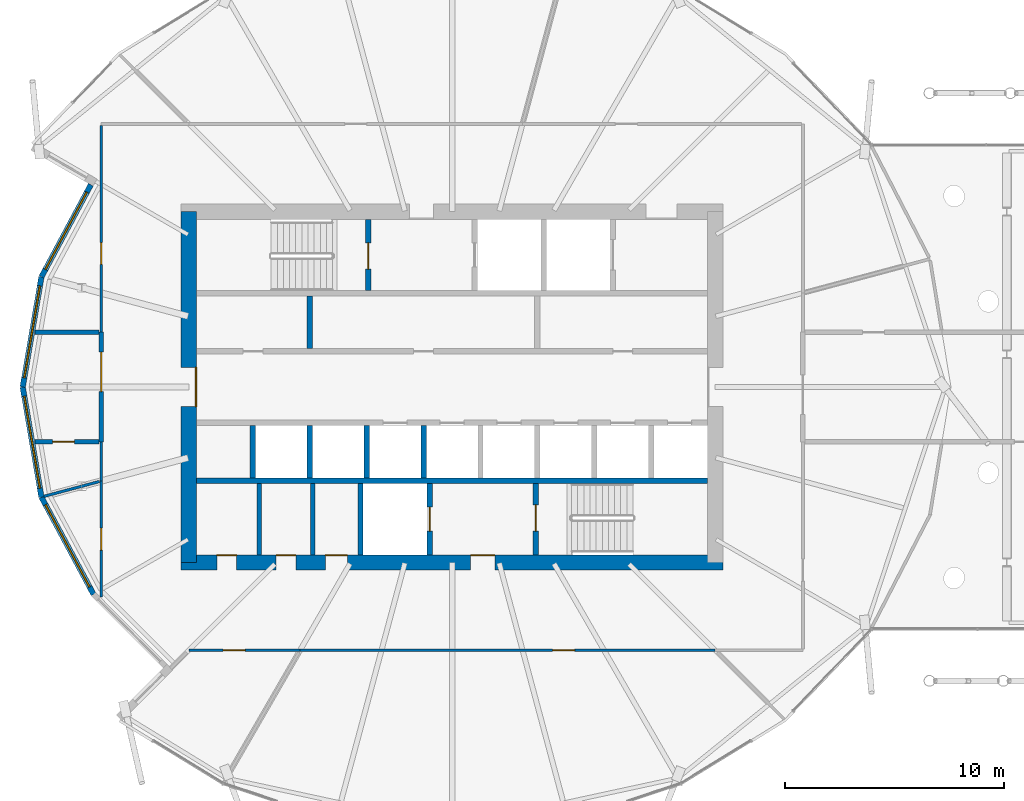
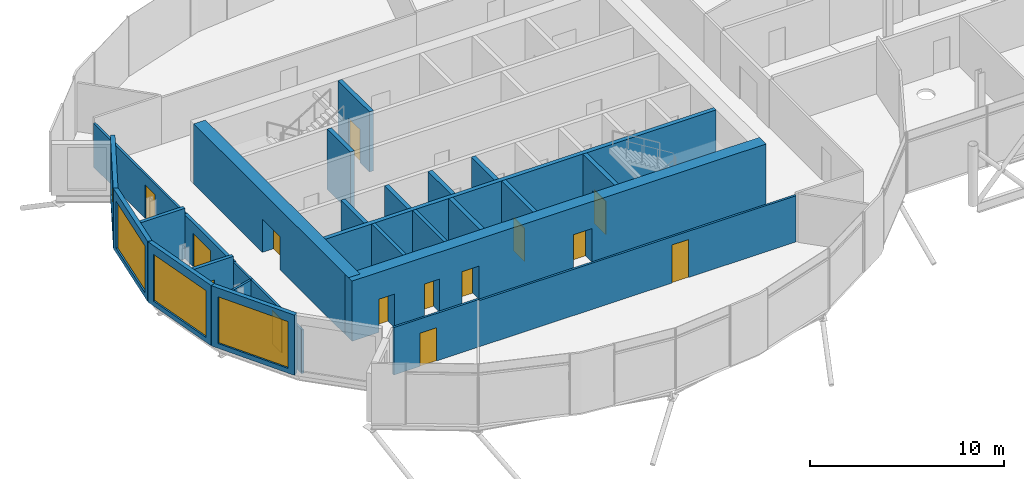
# One storey, part 23 of 39: 27 walls, 14 doors, 4 windows, 18 openings.
"""IFC4 building model written with IfcOpenShell, lengths in metres."""

import ifcopenshell
import ifcopenshell.guid

model = None  # the IFC model being written
_history = None  # IfcOwnerHistory: only IFC2X3 demands one
_inside = {}  # id of a spatial element -> (the spatial element, [elements in it])
_under = {}  # id of a project, library or spatial element -> (it, [spatial elements below it])
_declared = {}  # id of a project -> (the project, [libraries it declares])
_typed = {}  # id of a type object -> (the type object, [elements of that type])
_made_of = {}  # id of a material, layer set ... -> (it, [elements and type objects made of it])


def new_model(schema):
    """Start an empty IFC model of exactly this schema.

    Asked for "IFC4X3", IfcOpenShell would pick the latest addendum, in which some entities
    have other attributes; the version numbers below select the first issue.
    IFC2X3 requires an IfcOwnerHistory on every rooted entity: one is made here for all.
    """
    global model, _history
    if schema == "IFC4X3":
        model = ifcopenshell.file(schema_version=(4, 3, 0, 0))
    else:
        model = ifcopenshell.file(schema=schema)
    _inside.clear()
    _under.clear()
    _declared.clear()
    _typed.clear()
    _made_of.clear()
    _history = None
    if model.schema == "IFC2X3":
        org = make("IfcOrganization", Name="unknown")
        user = make(
            "IfcPersonAndOrganization",
            ThePerson=make("IfcPerson", FamilyName="unknown"),
            TheOrganization=org,
        )
        app = make(
            "IfcApplication",
            ApplicationDeveloper=org,
            Version="unknown",
            ApplicationFullName="unknown",
            ApplicationIdentifier="unknown",
        )
        _history = make(
            "IfcOwnerHistory",
            OwningUser=user,
            OwningApplication=app,
            ChangeAction="ADDED",
            CreationDate=0,
        )
    return model


def make(cls, **values):
    """One entity of the class cls with the attributes given. An attribute that is None is left unset."""
    return model.create_entity(
        cls, **{name: value for name, value in values.items() if value is not None}
    )


def rooted(cls, **values):
    """An entity with a GlobalId (a new one), such as an element, a storey or a relation."""
    return make(cls, GlobalId=ifcopenshell.guid.new(), OwnerHistory=_history, **values)


def si_unit(unit_type, name, prefix=None):
    """IfcSIUnit, for example si_unit("LENGTHUNIT", "METRE", prefix="MILLI")."""
    return make("IfcSIUnit", UnitType=unit_type, Prefix=prefix, Name=name)


def assignment(units):
    """IfcUnitAssignment: the units of a project."""
    return None if units is None else make("IfcUnitAssignment", Units=units)


def point(xyz):
    """IfcCartesianPoint."""
    return None if xyz is None else make("IfcCartesianPoint", Coordinates=xyz)


def direction(xyz):
    """IfcDirection."""
    return None if xyz is None else make("IfcDirection", DirectionRatios=xyz)


def frame(location, z_axis=None, x_axis=None):
    """IfcAxis2Placement3D, a coordinate frame: its origin and axes. An axis left out is left unset."""
    return make(
        "IfcAxis2Placement3D",
        Location=point(location),
        Axis=direction(z_axis),
        RefDirection=direction(x_axis),
    )


def frame_2d(location, x_axis=None):
    """IfcAxis2Placement2D, a coordinate frame in the plane: its origin and x axis."""
    return make(
        "IfcAxis2Placement2D", Location=point(location), RefDirection=direction(x_axis)
    )


def origin():
    """The frame at (0, 0, 0) with its axes left unset."""
    return frame((0.0, 0.0, 0.0))


def place(relative_to, where):
    """IfcLocalPlacement: puts the frame where relative to a parent placement (None: the world)."""
    return make(
        "IfcLocalPlacement", PlacementRelTo=relative_to, RelativePlacement=where
    )


def context(
    kind, dimensions, precision=None, world=None, true_north=None, identifier=None
):
    """IfcGeometricRepresentationContext, for example the 3D "Model" context."""
    return make(
        "IfcGeometricRepresentationContext",
        ContextIdentifier=identifier,
        ContextType=kind,
        CoordinateSpaceDimension=dimensions,
        Precision=precision,
        WorldCoordinateSystem=world,
        TrueNorth=true_north,
    )


def subcontext(parent, identifier, kind, view, scale=None):
    """IfcGeometricRepresentationSubContext, for example "Body" below "Model"."""
    return make(
        "IfcGeometricRepresentationSubContext",
        ContextIdentifier=identifier,
        ContextType=kind,
        ParentContext=parent,
        TargetScale=scale,
        TargetView=view,
    )


def project(units=None, contexts=None):
    """IfcProject with its units and contexts."""
    return rooted(
        "IfcProject",
        Name="project",
        RepresentationContexts=contexts,
        UnitsInContext=assignment(units),
    )


def spatial(cls, under=None, at=None, **own):
    """A site, building, storey or space (cls), placed at a placement, below another one or the project."""
    s = rooted(cls, ObjectPlacement=at, **own)
    if under is not None:
        _under.setdefault(under.id(), (under, []))[1].append(s)
    return s


def profile(cls, at=None, kind="AREA", **sizes):
    """A parametric profile (cls). Its sizes go by their IFC names, for example OverallWidth=200.0."""
    return make(cls, ProfileType=kind, Position=at, **sizes)


def rectangle(**sizes):
    """IfcRectangleProfileDef."""
    return profile("IfcRectangleProfileDef", **sizes)


def extrude(swept, where, along, depth):
    """IfcExtrudedAreaSolid: the profile swept, set in the frame where, extruded along a direction by depth."""
    return make(
        "IfcExtrudedAreaSolid",
        SweptArea=swept,
        Position=where,
        ExtrudedDirection=direction(along),
        Depth=depth,
    )


def shape(context_of_items, identifier, shape_type, items):
    """IfcShapeRepresentation: the items that make up one representation, for example the "Body"."""
    return make(
        "IfcShapeRepresentation",
        ContextOfItems=context_of_items,
        RepresentationIdentifier=identifier,
        RepresentationType=shape_type,
        Items=items,
    )


def material(Name=None, Category=None):
    """IfcMaterial."""
    return make("IfcMaterial", Name=Name, Category=Category)


def layer(
    of_material, thickness, ventilated=None, Name=None, Category=None, Priority=None
):
    """IfcMaterialLayer: one layer of a wall or slab, of a material (None: an air gap)."""
    return make(
        "IfcMaterialLayer",
        Material=of_material,
        LayerThickness=thickness,
        IsVentilated=ventilated,
        Name=Name,
        Category=Category,
        Priority=Priority,
    )


def layer_set(layers, Name=None):
    """IfcMaterialLayerSet."""
    return make("IfcMaterialLayerSet", MaterialLayers=layers, LayerSetName=Name)


def made_of(thing, what):
    """Note that an element or type object is made of a material, layer set ...; save() writes the relation."""
    if what is not None:
        _made_of.setdefault(what.id(), (what, []))[1].append(thing)
    return thing


def type_object(cls, material=None, **own):
    """A type object (cls), such as IfcWallType, which elements share."""
    return made_of(rooted(cls, **own), material)


def element(
    cls,
    number,
    at=None,
    inside=None,
    cuts=None,
    type_object=None,
    material=None,
    context=None,
    identifier="Body",
    shape_type=None,
    held_by="IfcProductDefinitionShape",
    body=None,
    shapes=None,
    **own,
):
    """One element of the class cls, such as IfcWall. Its Tag is "e" and its number.

    at: its placement. inside: the storey or other place that contains it. cuts: it is an
    opening in that element (IfcRelVoidsElement). A single representation is given by context,
    identifier, shape_type and body (its items); several are given by shapes. held_by: the class
    of the entity that holds the representations. save() writes the other relations.
    """
    e = rooted(cls, Tag="e%d" % number, ObjectPlacement=at, **own)
    if body is not None:
        shapes = [shape(context, identifier, shape_type, body)]
    if shapes is not None:
        e.Representation = make(held_by, Representations=shapes)
    if inside is not None:
        _inside.setdefault(inside.id(), (inside, []))[1].append(e)
    if cuts is not None:
        rooted(
            "IfcRelVoidsElement", RelatingBuildingElement=cuts, RelatedOpeningElement=e
        )
    if type_object is not None:
        _typed.setdefault(type_object.id(), (type_object, []))[1].append(e)
    return made_of(e, material)


def fill(opening, filler):
    """IfcRelFillsElement: the door or window that sits in an opening."""
    return rooted(
        "IfcRelFillsElement",
        RelatingOpeningElement=opening,
        RelatedBuildingElement=filler,
    )


def aggregate(whole, parts):
    """IfcRelAggregates: a whole, such as a stair, and the parts it consists of."""
    return rooted("IfcRelAggregates", RelatingObject=whole, RelatedObjects=parts)


def save(model, path):
    """Write the relations noted so far, then the file.

    IfcRelAggregates (storeys below a building ...), IfcRelContainedInSpatialStructure (elements
    in a storey), IfcRelDefinesByType, IfcRelAssociatesMaterial and IfcRelDeclares: one each for
    every whole, place, type object, material and project.
    """
    for whole, parts in _under.values():
        aggregate(whole, parts)
    for where, things in _inside.values():
        rooted(
            "IfcRelContainedInSpatialStructure",
            RelatedElements=things,
            RelatingStructure=where,
        )
    for kind, things in _typed.values():
        rooted("IfcRelDefinesByType", RelatedObjects=things, RelatingType=kind)
    for what, things in _made_of.values():
        rooted("IfcRelAssociatesMaterial", RelatedObjects=things, RelatingMaterial=what)
    for by, libraries in _declared.values():
        rooted("IfcRelDeclares", RelatingContext=by, RelatedDefinitions=libraries)
    model.write(path)


model = new_model("IFC4")

# Units and contexts
model_context = context("Model", 3, precision=1e-05, world=origin(), true_north=direction((0.0, 1.0)))
body_context = subcontext(model_context, "Body", "Model", "MODEL_VIEW")
ifc_project = project(units=[si_unit("LENGTHUNIT", "METRE"), si_unit("AREAUNIT", "SQUARE_METRE"), si_unit("VOLUMEUNIT", "CUBIC_METRE"), si_unit("PLANEANGLEUNIT", "RADIAN"), si_unit("MASSUNIT", "GRAM", prefix="KILO")], contexts=[model_context])

# Site, building, storey
site_placement = place(None, origin())
site = spatial("IfcSite", under=ifc_project, at=site_placement, CompositionType="ELEMENT")
building_placement = place(site_placement, origin())
building = spatial("IfcBuilding", under=site, at=building_placement, Name="Rimbun Link Towers", CompositionType="ELEMENT")
storey_placement = place(building_placement, frame((0.0, 0.0, 139.199951171875)))
storey = spatial("IfcBuildingStorey", under=building, at=storey_placement, Name="L33", CompositionType="ELEMENT", Elevation=139.199951171875)

# Wall, opening, window
ifc_material_1 = material(Name="Dark enamelled glass spandrel on insulated aluminium backpan", Category="aluminium")
ifc_layer_1 = layer(ifc_material_1, 0.25)
ifc_layer_set_1 = layer_set([ifc_layer_1], Name="CS dark enamelled spandrel wall 250")
wall_type_1 = type_object("IfcWallType", Name="CS dark enamelled spandrel wall 250", PredefinedType="STANDARD", material=ifc_layer_set_1)
wall_1_placement = place(storey_placement, frame((-50.4755859375, 5.0263671875, 0.0), z_axis=(0.0, 0.0, 1.0), x_axis=(0.47248174368, 0.881340457422, 0.0)))
wall_1 = element("IfcWall", 1, at=wall_1_placement, inside=storey, type_object=wall_type_1, Name="Crease spandrel wall", PredefinedType="STANDARD", context=body_context, shape_type="SweptSolid", body=[
    extrude(rectangle(XDim=4.76220703125, YDim=0.25, at=frame_2d((2.381103515625, 0.0))), origin(), (0.0, 0.0, 1.0), 3.800048828125),
])
opening_1_placement = place(wall_1_placement, frame((0.381103515625, 0.0, 0.300048828125)))
opening_1 = element("IfcOpeningElement", 2, at=opening_1_placement, cuts=wall_1, Name="Opening WR40H295", PredefinedType="OPENING", context=body_context, shape_type="SweptSolid", body=[
    extrude(rectangle(XDim=4.0, YDim=2.949951171875, at=frame_2d((2.0, 1.47509765625))), frame((0.0, 0.135009765625, 0.0), z_axis=(0.0, -1.0, 0.0), x_axis=(1.0, 0.0, 0.0)), (0.0, 0.0, 1.0), 0.27001953125),
])
ifc_material_2 = material(Name="Aluminium framed fixed window, dark tinted low-e glass", Category="aluminium")
window_type_1 = type_object("IfcWindowType", Name="WR ribbon window 4000X2950", PartitioningType="SINGLE_PANEL", PredefinedType="WINDOW", material=ifc_material_2)
window_1_placement = place(opening_1_placement, origin())
window_1 = element("IfcWindow", 3, at=window_1_placement, inside=storey, type_object=window_type_1, Name="Crease ribbon window", OverallHeight=2.949951171875, OverallWidth=4.0, PartitioningType="SINGLE_PANEL", PredefinedType="WINDOW", context=body_context, shape_type="SweptSolid", body=[
    extrude(rectangle(XDim=4.0, YDim=2.949951171875, at=frame_2d((2.0, 1.47509765625))), frame((0.0, 0.030029296875, 0.0), z_axis=(0.0, -1.0, 0.0), x_axis=(1.0, 0.0, 0.0)), (0.0, 0.0, 1.0), 0.06005859375),
])
fill(opening_1, window_1)

wall_2_placement = place(storey_placement, frame((-51.330322265625, 0.0, 0.0), z_axis=(0.0, 0.0, 1.0), x_axis=(0.167643894896, 0.985847617284, 0.0)))
wall_2 = element("IfcWall", 4, at=wall_2_placement, inside=storey, type_object=wall_type_1, Name="Crease spandrel wall", PredefinedType="STANDARD", context=body_context, shape_type="SweptSolid", body=[
    extrude(rectangle(XDim=5.0986328125, YDim=0.25, at=frame_2d((2.54931640625, 0.0))), origin(), (0.0, 0.0, 1.0), 3.800048828125),
])
opening_2_placement = place(wall_2_placement, frame((0.42431640625, 0.0, 0.300048828125)))
opening_2 = element("IfcOpeningElement", 5, at=opening_2_placement, cuts=wall_2, Name="Opening WR42H295", PredefinedType="OPENING", context=body_context, shape_type="SweptSolid", body=[
    extrude(rectangle(XDim=4.25, YDim=2.949951171875, at=frame_2d((2.125, 1.47509765625))), frame((0.0, 0.135009765625, 0.0), z_axis=(0.0, -1.0, 0.0), x_axis=(1.0, 0.0, 0.0)), (0.0, 0.0, 1.0), 0.27001953125),
])
ifc_material_3 = material(Name="Aluminium framed fixed window, dark tinted low-e glass", Category="aluminium")
window_type_2 = type_object("IfcWindowType", Name="WR ribbon window 4250X2950", PartitioningType="SINGLE_PANEL", PredefinedType="WINDOW", material=ifc_material_3)
window_2_placement = place(opening_2_placement, origin())
window_2 = element("IfcWindow", 6, at=window_2_placement, inside=storey, type_object=window_type_2, Name="Crease ribbon window", OverallHeight=2.949951171875, OverallWidth=4.25, PartitioningType="SINGLE_PANEL", PredefinedType="WINDOW", context=body_context, shape_type="SweptSolid", body=[
    extrude(rectangle(XDim=4.25, YDim=2.949951171875, at=frame_2d((2.125, 1.47509765625))), frame((0.0, 0.030029296875, 0.0), z_axis=(0.0, -1.0, 0.0), x_axis=(1.0, 0.0, 0.0)), (0.0, 0.0, 1.0), 0.06005859375),
])
fill(opening_2, window_2)

wall_3_placement = place(storey_placement, frame((-50.4755859375, -5.0263671875, 0.0), z_axis=(0.0, 0.0, 1.0), x_axis=(-0.167643894896, 0.985847617284, 0.0)))
wall_3 = element("IfcWall", 7, at=wall_3_placement, inside=storey, type_object=wall_type_1, Name="Crease spandrel wall", PredefinedType="STANDARD", context=body_context, shape_type="SweptSolid", body=[
    extrude(rectangle(XDim=5.0986328125, YDim=0.25, at=frame_2d((2.54931640625, 0.0))), origin(), (0.0, 0.0, 1.0), 3.800048828125),
])
opening_3_placement = place(wall_3_placement, frame((0.42431640625, 0.0, 0.300048828125)))
opening_3 = element("IfcOpeningElement", 8, at=opening_3_placement, cuts=wall_3, Name="Opening WR42H295", PredefinedType="OPENING", context=body_context, shape_type="SweptSolid", body=[
    extrude(rectangle(XDim=4.25, YDim=2.949951171875, at=frame_2d((2.125, 1.47509765625))), frame((0.0, 0.135009765625, 0.0), z_axis=(0.0, -1.0, 0.0), x_axis=(1.0, 0.0, 0.0)), (0.0, 0.0, 1.0), 0.27001953125),
])
window_3_placement = place(opening_3_placement, origin())
window_3 = element("IfcWindow", 9, at=window_3_placement, inside=storey, type_object=window_type_2, Name="Crease ribbon window", OverallHeight=2.949951171875, OverallWidth=4.25, PartitioningType="SINGLE_PANEL", PredefinedType="WINDOW", context=body_context, shape_type="SweptSolid", body=[
    extrude(rectangle(XDim=4.25, YDim=2.949951171875, at=frame_2d((2.125, 1.47509765625))), frame((0.0, 0.030029296875, 0.0), z_axis=(0.0, -1.0, 0.0), x_axis=(1.0, 0.0, 0.0)), (0.0, 0.0, 1.0), 0.06005859375),
])
fill(opening_3, window_3)

wall_4_placement = place(storey_placement, frame((-48.1005859375, -9.45654296875, 0.0), z_axis=(0.0, 0.0, 1.0), x_axis=(-0.472482867298, 0.881339855056, 0.0)))
wall_4 = element("IfcWall", 10, at=wall_4_placement, inside=storey, type_object=wall_type_1, Name="Crease spandrel wall", PredefinedType="STANDARD", context=body_context, shape_type="SweptSolid", body=[
    extrude(rectangle(XDim=5.026611328125, YDim=0.25, at=frame_2d((2.51318359375, 0.0))), origin(), (0.0, 0.0, 1.0), 3.800048828125),
])
opening_4_placement = place(wall_4_placement, frame((0.38818359375, 0.0, 0.300048828125)))
opening_4 = element("IfcOpeningElement", 11, at=opening_4_placement, cuts=wall_4, Name="Opening WR42H295", PredefinedType="OPENING", context=body_context, shape_type="SweptSolid", body=[
    extrude(rectangle(XDim=4.25, YDim=2.949951171875, at=frame_2d((2.125, 1.47509765625))), frame((0.0, 0.135009765625, 0.0), z_axis=(0.0, -1.0, 0.0), x_axis=(1.0, 0.0, 0.0)), (0.0, 0.0, 1.0), 0.27001953125),
])
window_4_placement = place(opening_4_placement, origin())
window_4 = element("IfcWindow", 12, at=window_4_placement, inside=storey, type_object=window_type_2, Name="Crease ribbon window", OverallHeight=2.949951171875, OverallWidth=4.25, PartitioningType="SINGLE_PANEL", PredefinedType="WINDOW", context=body_context, shape_type="SweptSolid", body=[
    extrude(rectangle(XDim=4.25, YDim=2.949951171875, at=frame_2d((2.125, 1.47509765625))), frame((0.0, 0.030029296875, 0.0), z_axis=(0.0, -1.0, 0.0), x_axis=(1.0, 0.0, 0.0)), (0.0, 0.0, 1.0), 0.06005859375),
])
fill(opening_4, window_4)

# Walls
ifc_material_4 = material(Name="Masonry blockwork", Category="masonry")
ifc_layer_2 = layer(ifc_material_4, 0.199951171875)
ifc_layer_set_2 = layer_set([ifc_layer_2], Name="Core partition 200")
wall_type_2 = type_object("IfcWallType", Name="Core partition 200", PredefinedType="PARTITIONING", material=ifc_layer_set_2)
for number, where, z_axis, x_axis, name in (
    (13, (-40.550048828125, -4.39990234375, 0.0), (0.0, 0.0, 1.0), (0.0, -1.0, 0.0), "L33 T1 core wall C1"),
    (14, (-38.10009765625, -4.39990234375, 0.0), (0.0, 0.0, 1.0), (0.0, -1.0, 0.0), "L33 T1 core wall C2"),
):
    element("IfcWall", number, at=place(storey_placement, frame(where, z_axis=z_axis, x_axis=x_axis)), inside=storey, type_object=wall_type_2, Name=name, PredefinedType="PARTITIONING", context=body_context, shape_type="SweptSolid", body=[
        extrude(rectangle(XDim=3.25, YDim=0.199951171875, at=frame_2d((1.625, 0.0))), origin(), (0.0, 0.0, 1.0), 3.800048828125),
    ])

# Wall, openings, doors
ifc_material_5 = material(Name="Concrete C60/75", Category="concrete")
ifc_layer_3 = layer(ifc_material_5, 0.699951171875)
ifc_layer_set_3 = layer_set([ifc_layer_3], Name="Core shear wall 700")
wall_type_3 = type_object("IfcWallType", Name="Core shear wall 700", PredefinedType="SHEAR", material=ifc_layer_set_3)
wall_5_placement = place(storey_placement, frame((-44.10009765625, -8.0, 0.0), z_axis=(0.0, 0.0, 1.0), x_axis=(1.0, 0.0, 0.0)))
wall_5 = element("IfcWall", 15, at=wall_5_placement, inside=storey, type_object=wall_type_3, Name="L33 T1 core wall S", PredefinedType="SHEAR", context=body_context, shape_type="SweptSolid", body=[
    extrude(rectangle(XDim=24.7001953125, YDim=0.699951171875, at=frame_2d((12.35009765625, 0.0))), origin(), (0.0, 0.0, 1.0), 3.800048828125),
])
opening_5_placement = place(wall_5_placement, frame((13.199951171875, 0.0, 0.0)))
opening_5 = element("IfcOpeningElement", 16, at=opening_5_placement, cuts=wall_5, Name="Opening C1DCF01S", PredefinedType="OPENING", context=body_context, shape_type="SweptSolid", body=[
    extrude(rectangle(XDim=1.10009765625, YDim=2.10009765625, at=frame_2d((0.550048828125, 1.050048828125))), frame((0.0, 0.35986328125, 0.0), z_axis=(0.0, -1.0, 0.0), x_axis=(1.0, 0.0, 0.0)), (0.0, 0.0, 1.0), 0.719970703125),
])
opening_6_placement = place(wall_5_placement, frame((1.625, 0.0, 0.0)))
opening_6 = element("IfcOpeningElement", 17, at=opening_6_placement, cuts=wall_5, Name="Opening C1DWC02S", PredefinedType="OPENING", context=body_context, shape_type="SweptSolid", body=[
    extrude(rectangle(XDim=0.89990234375, YDim=2.10009765625, at=frame_2d((0.449951171875, 1.050048828125))), frame((0.0, 0.35986328125, 0.0), z_axis=(0.0, -1.0, 0.0), x_axis=(1.0, 0.0, 0.0)), (0.0, 0.0, 1.0), 0.719970703125),
])
opening_7_placement = place(wall_5_placement, frame((4.324951171875, 0.0, 0.0)))
opening_7 = element("IfcOpeningElement", 18, at=opening_7_placement, cuts=wall_5, Name="Opening C1DWC03S", PredefinedType="OPENING", context=body_context, shape_type="SweptSolid", body=[
    extrude(rectangle(XDim=0.89990234375, YDim=2.10009765625, at=frame_2d((0.449951171875, 1.050048828125))), frame((0.0, 0.35986328125, 0.0), z_axis=(0.0, -1.0, 0.0), x_axis=(1.0, 0.0, 0.0)), (0.0, 0.0, 1.0), 0.719970703125),
])
opening_8_placement = place(wall_5_placement, frame((6.574951171875, 0.0, 0.0)))
opening_8 = element("IfcOpeningElement", 19, at=opening_8_placement, cuts=wall_5, Name="Opening C1DAW04S", PredefinedType="OPENING", context=body_context, shape_type="SweptSolid", body=[
    extrude(rectangle(XDim=1.0, YDim=2.10009765625, at=frame_2d((0.5, 1.050048828125))), frame((0.0, 0.35986328125, 0.0), z_axis=(0.0, -1.0, 0.0), x_axis=(1.0, 0.0, 0.0)), (0.0, 0.0, 1.0), 0.719970703125),
])
ifc_material_6 = material(Name="Timber", Category="wood")
door_type_1 = type_object("IfcDoorType", Name="Accessible WC door", OperationType="SINGLE_SWING_LEFT", PredefinedType="DOOR", material=ifc_material_6)
door_1_placement = place(opening_8_placement, origin())
door_1 = element("IfcDoor", 20, at=door_1_placement, inside=storey, type_object=door_type_1, Name="L33 T1 accessible wc door", OperationType="SINGLE_SWING_LEFT", OverallHeight=2.10009765625, OverallWidth=1.0, PredefinedType="DOOR", context=body_context, shape_type="SweptSolid", body=[
    extrude(rectangle(XDim=1.0, YDim=2.10009765625, at=frame_2d((0.5, 1.050048828125))), frame((0.0, 0.35009765625, 0.0), z_axis=(0.0, -1.0, 0.0), x_axis=(1.0, 0.0, 0.0)), (0.0, 0.0, 1.0), 0.050048828125),
])
fill(opening_8, door_1)
ifc_material_7 = material(Name="Steel fire door set", Category="steel")
door_type_2 = type_object("IfcDoorType", Name="Core fire door single", OperationType="SINGLE_SWING_LEFT", PredefinedType="DOOR", material=ifc_material_7)
door_2_placement = place(opening_5_placement, origin())
door_2 = element("IfcDoor", 21, at=door_2_placement, inside=storey, type_object=door_type_2, Name="L33 T1 firefighting lobby s door", OperationType="SINGLE_SWING_RIGHT", OverallHeight=2.10009765625, OverallWidth=1.10009765625, PredefinedType="DOOR", context=body_context, shape_type="SweptSolid", body=[
    extrude(rectangle(XDim=1.10009765625, YDim=2.10009765625, at=frame_2d((0.550048828125, 1.050048828125))), frame((0.0, 0.35009765625, 0.0), z_axis=(0.0, -1.0, 0.0), x_axis=(1.0, 0.0, 0.0)), (0.0, 0.0, 1.0), 0.050048828125),
])
fill(opening_5, door_2)
ifc_material_8 = material(Name="Timber", Category="wood")
door_type_3 = type_object("IfcDoorType", Name="WC door", OperationType="SINGLE_SWING_LEFT", PredefinedType="DOOR", material=ifc_material_8)
door_3_placement = place(opening_6_placement, origin())
door_3 = element("IfcDoor", 22, at=door_3_placement, inside=storey, type_object=door_type_3, Name="L33 T1 male wc door", OperationType="SINGLE_SWING_RIGHT", OverallHeight=2.10009765625, OverallWidth=0.89990234375, PredefinedType="DOOR", context=body_context, shape_type="SweptSolid", body=[
    extrude(rectangle(XDim=0.89990234375, YDim=2.10009765625, at=frame_2d((0.449951171875, 1.050048828125))), frame((0.0, 0.35009765625, 0.0), z_axis=(0.0, -1.0, 0.0), x_axis=(1.0, 0.0, 0.0)), (0.0, 0.0, 1.0), 0.050048828125),
])
fill(opening_6, door_3)
door_4_placement = place(opening_7_placement, origin())
door_4 = element("IfcDoor", 23, at=door_4_placement, inside=storey, type_object=door_type_3, Name="L33 T1 female wc door", OperationType="SINGLE_SWING_RIGHT", OverallHeight=2.10009765625, OverallWidth=0.89990234375, PredefinedType="DOOR", context=body_context, shape_type="SweptSolid", body=[
    extrude(rectangle(XDim=0.89990234375, YDim=2.10009765625, at=frame_2d((0.449951171875, 1.050048828125))), frame((0.0, 0.35009765625, 0.0), z_axis=(0.0, -1.0, 0.0), x_axis=(1.0, 0.0, 0.0)), (0.0, 0.0, 1.0), 0.050048828125),
])
fill(opening_7, door_4)

# Wall, opening, door
wall_6_placement = place(storey_placement, frame((-43.75, -8.0, 0.0), z_axis=(0.0, 0.0, 1.0), x_axis=(0.0, 1.0, 0.0)))
wall_6 = element("IfcWall", 24, at=wall_6_placement, inside=storey, type_object=wall_type_3, Name="L33 T1 core wall W", PredefinedType="SHEAR", context=body_context, shape_type="SweptSolid", body=[
    extrude(rectangle(XDim=16.0, YDim=0.699951171875, at=frame_2d((8.0, 0.0))), origin(), (0.0, 0.0, 1.0), 3.800048828125),
])
opening_9_placement = place(wall_6_placement, frame((7.10009765625, 0.0, 0.0)))
opening_9 = element("IfcOpeningElement", 25, at=opening_9_placement, cuts=wall_6, Name="Opening C1DCL01W", PredefinedType="OPENING", context=body_context, shape_type="SweptSolid", body=[
    extrude(rectangle(XDim=1.800048828125, YDim=2.10009765625, at=frame_2d((0.89990234375, 1.050048828125))), frame((0.0, 0.35986328125, 0.0), z_axis=(0.0, -1.0, 0.0), x_axis=(1.0, 0.0, 0.0)), (0.0, 0.0, 1.0), 0.719970703125),
])
ifc_material_9 = material(Name="Steel fire door set", Category="steel")
door_type_4 = type_object("IfcDoorType", Name="Core lobby door double", OperationType="DOUBLE_DOOR_SINGLE_SWING", PredefinedType="DOOR", material=ifc_material_9)
door_5_placement = place(opening_9_placement, origin())
door_5 = element("IfcDoor", 26, at=door_5_placement, inside=storey, type_object=door_type_4, Name="L33 T1 lift lobby door", OperationType="DOUBLE_DOOR_SINGLE_SWING", OverallHeight=2.10009765625, OverallWidth=1.800048828125, PredefinedType="DOOR", context=body_context, shape_type="SweptSolid", body=[
    extrude(rectangle(XDim=1.800048828125, YDim=2.10009765625, at=frame_2d((0.89990234375, 1.050048828125))), frame((0.0, -0.2998046875, 0.0), z_axis=(0.0, -1.0, 0.0), x_axis=(1.0, 0.0, 0.0)), (0.0, 0.0, 1.0), 0.050048828125),
])
fill(opening_9, door_5)

ifc_material_10 = material(Name="Concrete blockwork", Category="masonry")
ifc_layer_4 = layer(ifc_material_10, 0.199951171875)
ifc_layer_set_4 = layer_set([ifc_layer_4], Name="Fire partition 200 blockwork")
wall_type_4 = type_object("IfcWallType", Name="Fire partition 200 blockwork", PredefinedType="PARTITIONING", material=ifc_layer_set_4)
wall_7_placement = place(storey_placement, frame((-47.75, 2.5, 0.0), z_axis=(0.0, 0.0, 1.0), x_axis=(0.0, -1.0, 0.0)))
wall_7 = element("IfcWall", 27, at=wall_7_placement, inside=storey, type_object=wall_type_4, Name="TW/PW/L33/007", PredefinedType="PARTITIONING", context=body_context, shape_type="SweptSolid", body=[
    extrude(rectangle(XDim=5.0, YDim=0.199951171875, at=frame_2d((2.5, 0.0))), origin(), (0.0, 0.0, 1.0), 2.759033203125),
])
opening_10_placement = place(wall_7_placement, frame((0.909912109375, 0.0, 0.0)))
opening_10 = element("IfcOpeningElement", 28, at=opening_10_placement, cuts=wall_7, Name="Opening TW D33.24", PredefinedType="OPENING", context=body_context, shape_type="SweptSolid", body=[
    extrude(rectangle(XDim=1.800048828125, YDim=2.10009765625, at=frame_2d((0.89990234375, 1.050048828125))), frame((0.0, 0.10986328125, 0.0), z_axis=(0.0, -1.0, 0.0), x_axis=(1.0, 0.0, 0.0)), (0.0, 0.0, 1.0), 0.219970703125),
])
ifc_material_11 = material(Name="Steel fire door set", Category="steel")
door_type_5 = type_object("IfcDoorType", Name="Fire door double leaf 1800 x 2100", OperationType="NOTDEFINED", PredefinedType="DOOR", material=ifc_material_11)
door_6_placement = place(opening_10_placement, origin())
door_6 = element("IfcDoor", 29, at=door_6_placement, inside=storey, type_object=door_type_5, Name="TW/DR/L33/024", OperationType="DOUBLE_DOOR_SINGLE_SWING", OverallHeight=2.10009765625, OverallWidth=1.800048828125, PredefinedType="DOOR", context=body_context, shape_type="SweptSolid", body=[
    extrude(rectangle(XDim=1.800048828125, YDim=2.10009765625, at=frame_2d((0.89990234375, 1.050048828125))), frame((0.0, 0.02490234375, 0.0), z_axis=(0.0, -1.0, 0.0), x_axis=(1.0, 0.0, 0.0)), (0.0, 0.0, 1.0), 0.050048828125),
])
fill(opening_10, door_6)

wall_8_placement = place(storey_placement, frame((-50.7783203125, -2.5, 0.0), z_axis=(0.0, 0.0, 1.0), x_axis=(1.0, 0.0, 0.0)))
wall_8 = element("IfcWall", 30, at=wall_8_placement, inside=storey, type_object=wall_type_4, Name="TW/PW/L33/023", PredefinedType="PARTITIONING", context=body_context, shape_type="SweptSolid", body=[
    extrude(rectangle(XDim=2.92822265625, YDim=0.199951171875, at=frame_2d((1.464111328125, 0.0))), origin(), (0.0, 0.0, 1.0), 3.194091796875),
])
opening_11_placement = place(wall_8_placement, frame((0.81005859375, 0.0, 0.0)))
opening_11 = element("IfcOpeningElement", 31, at=opening_11_placement, cuts=wall_8, Name="Opening TW D33.08", PredefinedType="OPENING", context=body_context, shape_type="SweptSolid", body=[
    extrude(rectangle(XDim=1.0, YDim=2.10009765625, at=frame_2d((0.5, 1.050048828125))), frame((0.0, 0.10986328125, 0.0), z_axis=(0.0, -1.0, 0.0), x_axis=(1.0, 0.0, 0.0)), (0.0, 0.0, 1.0), 0.219970703125),
])
ifc_material_12 = material(Name="Steel fire door set", Category="steel")
door_type_6 = type_object("IfcDoorType", Name="Fire door single leaf 1000 x 2100", OperationType="NOTDEFINED", PredefinedType="DOOR", material=ifc_material_12)
door_7_placement = place(opening_11_placement, origin())
door_7 = element("IfcDoor", 32, at=door_7_placement, inside=storey, type_object=door_type_6, Name="TW/DR/L33/008", OperationType="SINGLE_SWING_LEFT", OverallHeight=2.10009765625, OverallWidth=1.0, PredefinedType="DOOR", context=body_context, shape_type="SweptSolid", body=[
    extrude(rectangle(XDim=1.0, YDim=2.10009765625, at=frame_2d((0.5, 1.050048828125))), frame((0.0, 0.02490234375, 0.0), z_axis=(0.0, -1.0, 0.0), x_axis=(1.0, 0.0, 0.0)), (0.0, 0.0, 1.0), 0.050048828125),
])
fill(opening_11, door_7)

# Wall
wall_9_placement = place(storey_placement, frame((-47.85009765625, 2.5, 0.0), z_axis=(0.0, 0.0, 1.0), x_axis=(-1.0, 0.0, 0.0)))
element("IfcWall", 33, at=wall_9_placement, inside=storey, type_object=wall_type_4, Name="TW/PW/L33/024", PredefinedType="PARTITIONING", context=body_context, shape_type="SweptSolid", body=[
    extrude(rectangle(XDim=2.92822265625, YDim=0.199951171875, at=frame_2d((1.464111328125, 0.0))), origin(), (0.0, 0.0, 1.0), 3.194091796875),
])

# Wall, opening, door
ifc_material_13 = material(Name="Gypsum board on steel studs", Category="steel")
ifc_layer_5 = layer(ifc_material_13, 0.125)
ifc_layer_set_5 = layer_set([ifc_layer_5], Name="Partition 125 board on studs")
wall_type_5 = type_object("IfcWallType", Name="Partition 125 board on studs", PredefinedType="PARTITIONING", material=ifc_layer_set_5)
wall_10_placement = place(storey_placement, frame((-47.75, -4.287109375, 0.0), z_axis=(0.0, 0.0, 1.0), x_axis=(0.0, -1.0, 0.0)))
wall_10 = element("IfcWall", 34, at=wall_10_placement, inside=storey, type_object=wall_type_5, Name="TW/PW/L33/008", PredefinedType="PARTITIONING", context=body_context, shape_type="SweptSolid", body=[
    extrude(rectangle(XDim=5.2939453125, YDim=0.125, at=frame_2d((2.64697265625, 0.0))), origin(), (0.0, 0.0, 1.0), 2.759033203125),
])
opening_12_placement = place(wall_10_placement, frame((2.14697265625, 0.0, 0.0)))
opening_12 = element("IfcOpeningElement", 35, at=opening_12_placement, cuts=wall_10, Name="Opening TW D33.01", PredefinedType="OPENING", context=body_context, shape_type="SweptSolid", body=[
    extrude(rectangle(XDim=1.0, YDim=2.10009765625, at=frame_2d((0.5, 1.050048828125))), frame((0.0, 0.072509765625, 0.0), z_axis=(0.0, -1.0, 0.0), x_axis=(1.0, 0.0, 0.0)), (0.0, 0.0, 1.0), 0.14501953125),
])
ifc_material_14 = material(Name="Timber door set", Category="wood")
door_type_7 = type_object("IfcDoorType", Name="Door single leaf 1000 x 2100", OperationType="NOTDEFINED", PredefinedType="DOOR", material=ifc_material_14)
door_8_placement = place(opening_12_placement, origin())
door_8 = element("IfcDoor", 36, at=door_8_placement, inside=storey, type_object=door_type_7, Name="TW/DR/L33/001", OperationType="SINGLE_SWING_RIGHT", OverallHeight=2.10009765625, OverallWidth=1.0, PredefinedType="DOOR", context=body_context, shape_type="SweptSolid", body=[
    extrude(rectangle(XDim=1.0, YDim=2.10009765625, at=frame_2d((0.5, 1.050048828125))), frame((0.0, 0.02490234375, 0.0), z_axis=(0.0, -1.0, 0.0), x_axis=(1.0, 0.0, 0.0)), (0.0, 0.0, 1.0), 0.050048828125),
])
fill(opening_12, door_8)

wall_11_placement = place(storey_placement, frame((-43.75, -12.0, 0.0), z_axis=(0.0, 0.0, 1.0), x_axis=(1.0, 0.0, 0.0)))
wall_11 = element("IfcWall", 37, at=wall_11_placement, inside=storey, type_object=wall_type_5, Name="TW/PW/L33/009", PredefinedType="PARTITIONING", context=body_context, shape_type="SweptSolid", body=[
    extrude(rectangle(XDim=5.07177734375, YDim=0.125, at=frame_2d((2.535888671875, 0.0))), origin(), (0.0, 0.0, 1.0), 2.9970703125),
])
opening_13_placement = place(wall_11_placement, frame((1.56005859375, 0.0, 0.0)))
opening_13 = element("IfcOpeningElement", 38, at=opening_13_placement, cuts=wall_11, Name="Opening TW D33.02", PredefinedType="OPENING", context=body_context, shape_type="SweptSolid", body=[
    extrude(rectangle(XDim=1.0, YDim=2.10009765625, at=frame_2d((0.5, 1.050048828125))), frame((0.0, 0.072509765625, 0.0), z_axis=(0.0, -1.0, 0.0), x_axis=(1.0, 0.0, 0.0)), (0.0, 0.0, 1.0), 0.14501953125),
])
door_9_placement = place(opening_13_placement, origin())
door_9 = element("IfcDoor", 39, at=door_9_placement, inside=storey, type_object=door_type_7, Name="TW/DR/L33/002", OperationType="SINGLE_SWING_LEFT", OverallHeight=2.10009765625, OverallWidth=1.0, PredefinedType="DOOR", context=body_context, shape_type="SweptSolid", body=[
    extrude(rectangle(XDim=1.0, YDim=2.10009765625, at=frame_2d((0.5, 1.050048828125))), frame((0.0, 0.02490234375, 0.0), z_axis=(0.0, -1.0, 0.0), x_axis=(1.0, 0.0, 0.0)), (0.0, 0.0, 1.0), 0.050048828125),
])
fill(opening_13, door_9)

wall_12_placement = place(storey_placement, frame((-38.67822265625, -12.0, 0.0), z_axis=(0.0, 0.0, 1.0), x_axis=(1.0, 0.0, 0.0)))
wall_12 = element("IfcWall", 40, at=wall_12_placement, inside=storey, type_object=wall_type_5, Name="TW/PW/L33/011", PredefinedType="PARTITIONING", context=body_context, shape_type="SweptSolid", body=[
    extrude(rectangle(XDim=18.92822265625, YDim=0.125, at=frame_2d((9.464111328125, 0.0))), origin(), (0.0, 0.0, 1.0), 2.9169921875),
])
opening_14_placement = place(wall_12_placement, frame((11.51806640625, 0.0, 0.0)))
opening_14 = element("IfcOpeningElement", 41, at=opening_14_placement, cuts=wall_12, Name="Opening TW D33.03", PredefinedType="OPENING", context=body_context, shape_type="SweptSolid", body=[
    extrude(rectangle(XDim=1.0, YDim=2.39990234375, at=frame_2d((0.5, 1.199951171875))), frame((0.0, 0.072509765625, 0.0), z_axis=(0.0, -1.0, 0.0), x_axis=(1.0, 0.0, 0.0)), (0.0, 0.0, 1.0), 0.14501953125),
])
ifc_material_15 = material(Name="Timber door set", Category="wood")
door_type_8 = type_object("IfcDoorType", Name="Hall door single leaf 1000 x 2400", OperationType="NOTDEFINED", PredefinedType="DOOR", material=ifc_material_15)
door_10_placement = place(opening_14_placement, origin())
door_10 = element("IfcDoor", 42, at=door_10_placement, inside=storey, type_object=door_type_8, Name="TW/DR/L33/003", OperationType="SINGLE_SWING_RIGHT", OverallHeight=2.39990234375, OverallWidth=1.0, PredefinedType="DOOR", context=body_context, shape_type="SweptSolid", body=[
    extrude(rectangle(XDim=1.0, YDim=2.39990234375, at=frame_2d((0.5, 1.199951171875))), frame((0.0, 0.02490234375, 0.0), z_axis=(0.0, -1.0, 0.0), x_axis=(1.0, 0.0, 0.0)), (0.0, 0.0, 1.0), 0.050048828125),
])
fill(opening_14, door_10)

# Wall
wall_13_placement = place(storey_placement, frame((-47.75, -2.5, 0.0), z_axis=(0.0, 0.0, 1.0), x_axis=(0.0, -1.0, 0.0)))
element("IfcWall", 43, at=wall_13_placement, inside=storey, type_object=wall_type_5, Name="TW/PW/L33/018", PredefinedType="PARTITIONING", context=body_context, shape_type="SweptSolid", body=[
    extrude(rectangle(XDim=1.787109375, YDim=0.125, at=frame_2d((0.8935546875, 0.0))), origin(), (0.0, 0.0, 1.0), 2.759033203125),
])

# Wall, opening, door
wall_14_placement = place(storey_placement, frame((-47.75, 11.9375, 0.0), z_axis=(0.0, 0.0, 1.0), x_axis=(0.0, -1.0, 0.0)))
wall_14 = element("IfcWall", 44, at=wall_14_placement, inside=storey, type_object=wall_type_5, Name="TW/PW/L33/020", PredefinedType="PARTITIONING", context=body_context, shape_type="SweptSolid", body=[
    extrude(rectangle(XDim=9.4375, YDim=0.125, at=frame_2d((4.71875, 0.0))), origin(), (0.0, 0.0, 1.0), 2.759033203125),
])
opening_15_placement = place(wall_14_placement, frame((5.34912109375, 0.0, 0.0)))
opening_15 = element("IfcOpeningElement", 45, at=opening_15_placement, cuts=wall_14, Name="Opening TW D33.09", PredefinedType="OPENING", context=body_context, shape_type="SweptSolid", body=[
    extrude(rectangle(XDim=1.0, YDim=2.10009765625, at=frame_2d((0.5, 1.050048828125))), frame((0.0, 0.072509765625, 0.0), z_axis=(0.0, -1.0, 0.0), x_axis=(1.0, 0.0, 0.0)), (0.0, 0.0, 1.0), 0.14501953125),
])
door_11_placement = place(opening_15_placement, origin())
door_11 = element("IfcDoor", 46, at=door_11_placement, inside=storey, type_object=door_type_7, Name="TW/DR/L33/009", OperationType="SINGLE_SWING_RIGHT", OverallHeight=2.10009765625, OverallWidth=1.0, PredefinedType="DOOR", context=body_context, shape_type="SweptSolid", body=[
    extrude(rectangle(XDim=1.0, YDim=2.10009765625, at=frame_2d((0.5, 1.050048828125))), frame((0.0, 0.02490234375, 0.0), z_axis=(0.0, -1.0, 0.0), x_axis=(1.0, 0.0, 0.0)), (0.0, 0.0, 1.0), 0.050048828125),
])
fill(opening_15, door_11)

# Walls
wall_15_placement = place(storey_placement, frame((-47.82861328125, -4.308349609375, 0.0), z_axis=(0.0, 0.0, 1.0), x_axis=(-0.965938471895, -0.258771846446, 0.0)))
element("IfcWall", 47, at=wall_15_placement, inside=storey, type_object=wall_type_5, Name="TW/PW/L33/025", PredefinedType="PARTITIONING", context=body_context, shape_type="SweptSolid", body=[
    extrude(rectangle(XDim=2.6162109375, YDim=0.125, at=frame_2d((1.30810546875, 0.0))), origin(), (0.0, 0.0, 1.0), 2.759033203125),
])
ifc_material_16 = material(Name="Concrete C60/75", Category="concrete")
ifc_layer_6 = layer(ifc_material_16, 0.25)
ifc_layer_set_6 = layer_set([ifc_layer_6], Name="Shaft wall 250")
wall_type_6 = type_object("IfcWallType", Name="Shaft wall 250", PredefinedType="SHEAR", material=ifc_layer_set_6)
wall_16_placement = place(storey_placement, frame((-43.39990234375, -4.27490234375, 0.0), z_axis=(0.0, 0.0, 1.0), x_axis=(1.0, 0.0, 0.0)))
element("IfcWall", 48, at=wall_16_placement, inside=storey, type_object=wall_type_6, Name="L33 T1 core wall BS", PredefinedType="SHEAR", context=body_context, shape_type="SweptSolid", body=[
    extrude(rectangle(XDim=23.2998046875, YDim=0.25, at=frame_2d((11.64990234375, 0.0))), origin(), (0.0, 0.0, 1.0), 3.800048828125),
])
for number, where, z_axis, x_axis, name in (
    (49, (-38.236083984375, 1.75, 0.0), (0.0, 0.0, 1.0), (0.0, 1.0, 0.0), "L33 T1 core wall DN1"),
    (50, (-40.83056640625, -4.14990234375, 0.0), (0.0, 0.0, 1.0), (0.0, 1.0, 0.0), "L33 T1 core wall DS0"),
    (51, (-38.236083984375, -4.14990234375, 0.0), (0.0, 0.0, 1.0), (0.0, 1.0, 0.0), "L33 T1 core wall DS1"),
    (52, (-35.6416015625, -4.14990234375, 0.0), (0.0, 0.0, 1.0), (0.0, 1.0, 0.0), "L33 T1 core wall DS2"),
    (53, (-33.047119140625, -4.14990234375, 0.0), (0.0, 0.0, 1.0), (0.0, 1.0, 0.0), "L33 T1 core wall DS3"),
):
    element("IfcWall", number, at=place(storey_placement, frame(where, z_axis=z_axis, x_axis=x_axis)), inside=storey, type_object=wall_type_6, Name=name, PredefinedType="SHEAR", context=body_context, shape_type="SweptSolid", body=[
        extrude(rectangle(XDim=2.39990234375, YDim=0.25, at=frame_2d((1.199951171875, 0.0))), origin(), (0.0, 0.0, 1.0), 3.800048828125),
    ])

# Wall, opening, door
wall_17_placement = place(storey_placement, frame((-35.574951171875, 4.39990234375, 0.0), z_axis=(0.0, 0.0, 1.0), x_axis=(0.0, 1.0, 0.0)))
wall_17 = element("IfcWall", 54, at=wall_17_placement, inside=storey, type_object=wall_type_6, Name="L33 T1 core wall A1", PredefinedType="SHEAR", context=body_context, shape_type="SweptSolid", body=[
    extrude(rectangle(XDim=3.25, YDim=0.25, at=frame_2d((1.625, 0.0))), origin(), (0.0, 0.0, 1.0), 3.800048828125),
])
opening_16_placement = place(wall_17_placement, frame((0.97509765625, 0.0, 0.0)))
opening_16 = element("IfcOpeningElement", 55, at=opening_16_placement, cuts=wall_17, Name="Opening C1DST01A1", PredefinedType="OPENING", context=body_context, shape_type="SweptSolid", body=[
    extrude(rectangle(XDim=1.199951171875, YDim=2.10009765625, at=frame_2d((0.60009765625, 1.050048828125))), frame((0.0, 0.135009765625, 0.0), z_axis=(0.0, -1.0, 0.0), x_axis=(1.0, 0.0, 0.0)), (0.0, 0.0, 1.0), 0.27001953125),
])
ifc_material_17 = material(Name="Steel fire door set", Category="steel")
door_type_9 = type_object("IfcDoorType", Name="Stair door", OperationType="SINGLE_SWING_LEFT", PredefinedType="DOOR", material=ifc_material_17)
door_12_placement = place(opening_16_placement, origin())
door_12 = element("IfcDoor", 56, at=door_12_placement, inside=storey, type_object=door_type_9, Name="L33 T1 stair a door", OperationType="SINGLE_SWING_RIGHT", OverallHeight=2.10009765625, OverallWidth=1.199951171875, PredefinedType="DOOR", context=body_context, shape_type="SweptSolid", body=[
    extrude(rectangle(XDim=1.199951171875, YDim=2.10009765625, at=frame_2d((0.60009765625, 1.050048828125))), frame((0.0, 0.02490234375, 0.0), z_axis=(0.0, -1.0, 0.0), x_axis=(1.0, 0.0, 0.0)), (0.0, 0.0, 1.0), 0.050048828125),
])
fill(opening_16, door_12)

wall_18_placement = place(storey_placement, frame((-27.925048828125, -4.39990234375, 0.0), z_axis=(0.0, 0.0, 1.0), x_axis=(0.0, -1.0, 0.0)))
wall_18 = element("IfcWall", 57, at=wall_18_placement, inside=storey, type_object=wall_type_6, Name="L33 T1 core wall B1", PredefinedType="SHEAR", context=body_context, shape_type="SweptSolid", body=[
    extrude(rectangle(XDim=3.25, YDim=0.25, at=frame_2d((1.625, 0.0))), origin(), (0.0, 0.0, 1.0), 3.800048828125),
])
opening_17_placement = place(wall_18_placement, frame((0.97509765625, 0.0, 0.0)))
opening_17 = element("IfcOpeningElement", 58, at=opening_17_placement, cuts=wall_18, Name="Opening C1DST01B1", PredefinedType="OPENING", context=body_context, shape_type="SweptSolid", body=[
    extrude(rectangle(XDim=1.199951171875, YDim=2.10009765625, at=frame_2d((0.60009765625, 1.050048828125))), frame((0.0, 0.135009765625, 0.0), z_axis=(0.0, -1.0, 0.0), x_axis=(1.0, 0.0, 0.0)), (0.0, 0.0, 1.0), 0.27001953125),
])
door_13_placement = place(opening_17_placement, origin())
door_13 = element("IfcDoor", 59, at=door_13_placement, inside=storey, type_object=door_type_9, Name="L33 T1 stair b door", OperationType="SINGLE_SWING_LEFT", OverallHeight=2.10009765625, OverallWidth=1.199951171875, PredefinedType="DOOR", context=body_context, shape_type="SweptSolid", body=[
    extrude(rectangle(XDim=1.199951171875, YDim=2.10009765625, at=frame_2d((0.60009765625, 1.050048828125))), frame((0.0, 0.02490234375, 0.0), z_axis=(0.0, -1.0, 0.0), x_axis=(1.0, 0.0, 0.0)), (0.0, 0.0, 1.0), 0.050048828125),
])
fill(opening_17, door_13)

wall_19_placement = place(storey_placement, frame((-32.77490234375, -4.39990234375, 0.0), z_axis=(0.0, 0.0, 1.0), x_axis=(0.0, -1.0, 0.0)))
wall_19 = element("IfcWall", 60, at=wall_19_placement, inside=storey, type_object=wall_type_6, Name="L33 T1 core wall B2", PredefinedType="SHEAR", context=body_context, shape_type="SweptSolid", body=[
    extrude(rectangle(XDim=3.25, YDim=0.25, at=frame_2d((1.625, 0.0))), origin(), (0.0, 0.0, 1.0), 3.800048828125),
])
opening_18_placement = place(wall_19_placement, frame((1.074951171875, 0.0, 0.0)))
opening_18 = element("IfcOpeningElement", 61, at=opening_18_placement, cuts=wall_19, Name="Opening LD-T1-FF2", PredefinedType="OPENING", context=body_context, shape_type="SweptSolid", body=[
    extrude(rectangle(XDim=1.10009765625, YDim=2.10009765625, at=frame_2d((0.550048828125, 1.050048828125))), frame((0.0, 0.135009765625, 0.0), z_axis=(0.0, -1.0, 0.0), x_axis=(1.0, 0.0, 0.0)), (0.0, 0.0, 1.0), 0.27001953125),
])
ifc_material_18 = material(Name="Stainless steel grade 316", Category="steel")
door_type_10 = type_object("IfcDoorType", Name="Lift landing door", OperationType="DOUBLE_DOOR_SLIDING", PredefinedType="DOOR", material=ifc_material_18)
door_14_placement = place(opening_18_placement, origin())
door_14 = element("IfcDoor", 62, at=door_14_placement, inside=storey, type_object=door_type_10, Name="L33 T1 lift FF2 landing door", OperationType="DOUBLE_DOOR_SLIDING", OverallHeight=2.10009765625, OverallWidth=1.10009765625, PredefinedType="DOOR", context=body_context, shape_type="SweptSolid", body=[
    extrude(rectangle(XDim=1.10009765625, YDim=2.10009765625, at=frame_2d((0.550048828125, 1.050048828125))), frame((0.0, 0.02490234375, 0.0), z_axis=(0.0, -1.0, 0.0), x_axis=(1.0, 0.0, 0.0)), (0.0, 0.0, 1.0), 0.050048828125),
])
fill(opening_18, door_14)

# Wall
wall_20_placement = place(storey_placement, frame((-35.925048828125, -4.39990234375, 0.0), z_axis=(0.0, 0.0, 1.0), x_axis=(0.0, -1.0, 0.0)))
element("IfcWall", 63, at=wall_20_placement, inside=storey, type_object=wall_type_6, Name="L33 T1 core wall B3", PredefinedType="SHEAR", context=body_context, shape_type="SweptSolid", body=[
    extrude(rectangle(XDim=3.25, YDim=0.25, at=frame_2d((1.625, 0.0))), origin(), (0.0, 0.0, 1.0), 3.800048828125),
])

save(model, "model.ifc")
